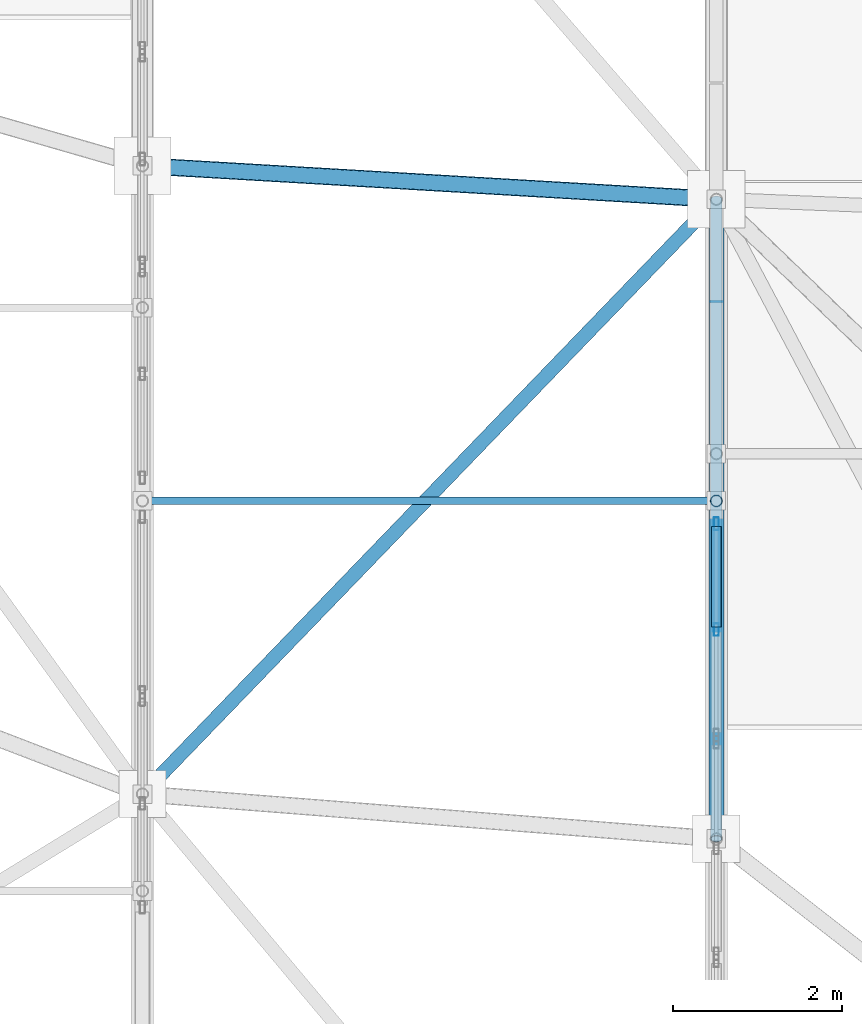
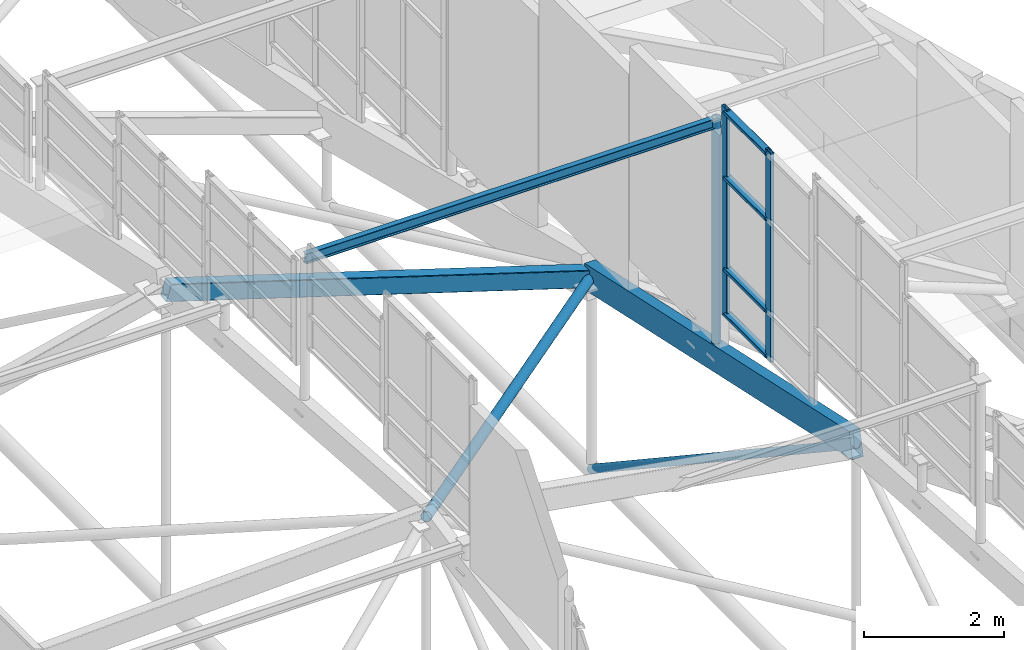
# One storey, part 49 of 188: 12 members, 1 element without a shape of its own.
"""IFC4 building model written with IfcOpenShell, lengths in metres."""

import ifcopenshell
import ifcopenshell.guid

model = None  # the IFC model being written
_history = None  # IfcOwnerHistory: only IFC2X3 demands one
_inside = {}  # id of a spatial element -> (the spatial element, [elements in it])
_under = {}  # id of a project, library or spatial element -> (it, [spatial elements below it])
_declared = {}  # id of a project -> (the project, [libraries it declares])
_typed = {}  # id of a type object -> (the type object, [elements of that type])
_made_of = {}  # id of a material, layer set ... -> (it, [elements and type objects made of it])


def new_model(schema):
    """Start an empty IFC model of exactly this schema.

    Asked for "IFC4X3", IfcOpenShell would pick the latest addendum, in which some entities
    have other attributes; the version numbers below select the first issue.
    IFC2X3 requires an IfcOwnerHistory on every rooted entity: one is made here for all.
    """
    global model, _history
    if schema == "IFC4X3":
        model = ifcopenshell.file(schema_version=(4, 3, 0, 0))
    else:
        model = ifcopenshell.file(schema=schema)
    _inside.clear()
    _under.clear()
    _declared.clear()
    _typed.clear()
    _made_of.clear()
    _history = None
    if model.schema == "IFC2X3":
        org = make("IfcOrganization", Name="unknown")
        user = make(
            "IfcPersonAndOrganization",
            ThePerson=make("IfcPerson", FamilyName="unknown"),
            TheOrganization=org,
        )
        app = make(
            "IfcApplication",
            ApplicationDeveloper=org,
            Version="unknown",
            ApplicationFullName="unknown",
            ApplicationIdentifier="unknown",
        )
        _history = make(
            "IfcOwnerHistory",
            OwningUser=user,
            OwningApplication=app,
            ChangeAction="ADDED",
            CreationDate=0,
        )
    return model


def make(cls, **values):
    """One entity of the class cls with the attributes given. An attribute that is None is left unset."""
    return model.create_entity(
        cls, **{name: value for name, value in values.items() if value is not None}
    )


def rooted(cls, **values):
    """An entity with a GlobalId (a new one), such as an element, a storey or a relation."""
    return make(cls, GlobalId=ifcopenshell.guid.new(), OwnerHistory=_history, **values)


def si_unit(unit_type, name, prefix=None):
    """IfcSIUnit, for example si_unit("LENGTHUNIT", "METRE", prefix="MILLI")."""
    return make("IfcSIUnit", UnitType=unit_type, Prefix=prefix, Name=name)


def assignment(units):
    """IfcUnitAssignment: the units of a project."""
    return None if units is None else make("IfcUnitAssignment", Units=units)


def point(xyz):
    """IfcCartesianPoint."""
    return None if xyz is None else make("IfcCartesianPoint", Coordinates=xyz)


def direction(xyz):
    """IfcDirection."""
    return None if xyz is None else make("IfcDirection", DirectionRatios=xyz)


def frame(location, z_axis=None, x_axis=None):
    """IfcAxis2Placement3D, a coordinate frame: its origin and axes. An axis left out is left unset."""
    return make(
        "IfcAxis2Placement3D",
        Location=point(location),
        Axis=direction(z_axis),
        RefDirection=direction(x_axis),
    )


def frame_2d(location, x_axis=None):
    """IfcAxis2Placement2D, a coordinate frame in the plane: its origin and x axis."""
    return make(
        "IfcAxis2Placement2D", Location=point(location), RefDirection=direction(x_axis)
    )


def origin():
    """The frame at (0, 0, 0) with its axes left unset."""
    return frame((0.0, 0.0, 0.0))


def origin_2d():
    """The frame at (0, 0) in the plane with its x axis left unset."""
    return frame_2d((0.0, 0.0))


def place(relative_to, where):
    """IfcLocalPlacement: puts the frame where relative to a parent placement (None: the world)."""
    return make(
        "IfcLocalPlacement", PlacementRelTo=relative_to, RelativePlacement=where
    )


def context(
    kind, dimensions, precision=None, world=None, true_north=None, identifier=None
):
    """IfcGeometricRepresentationContext, for example the 3D "Model" context."""
    return make(
        "IfcGeometricRepresentationContext",
        ContextIdentifier=identifier,
        ContextType=kind,
        CoordinateSpaceDimension=dimensions,
        Precision=precision,
        WorldCoordinateSystem=world,
        TrueNorth=true_north,
    )


def subcontext(parent, identifier, kind, view, scale=None):
    """IfcGeometricRepresentationSubContext, for example "Body" below "Model"."""
    return make(
        "IfcGeometricRepresentationSubContext",
        ContextIdentifier=identifier,
        ContextType=kind,
        ParentContext=parent,
        TargetScale=scale,
        TargetView=view,
    )


def project(units=None, contexts=None):
    """IfcProject with its units and contexts."""
    return rooted(
        "IfcProject",
        Name="project",
        RepresentationContexts=contexts,
        UnitsInContext=assignment(units),
    )


def spatial(cls, under=None, at=None, **own):
    """A site, building, storey or space (cls), placed at a placement, below another one or the project."""
    s = rooted(cls, ObjectPlacement=at, **own)
    if under is not None:
        _under.setdefault(under.id(), (under, []))[1].append(s)
    return s


def profile(cls, at=None, kind="AREA", **sizes):
    """A parametric profile (cls). Its sizes go by their IFC names, for example OverallWidth=200.0."""
    return make(cls, ProfileType=kind, Position=at, **sizes)


def rectangle(**sizes):
    """IfcRectangleProfileDef."""
    return profile("IfcRectangleProfileDef", **sizes)


def hollow_rectangle(**sizes):
    """IfcRectangleHollowProfileDef."""
    return profile("IfcRectangleHollowProfileDef", **sizes)


def hollow_circle(**sizes):
    """IfcCircleHollowProfileDef."""
    return profile("IfcCircleHollowProfileDef", **sizes)


def i_section(**sizes):
    """IfcIShapeProfileDef."""
    return profile("IfcIShapeProfileDef", **sizes)


def extrude(swept, where, along, depth):
    """IfcExtrudedAreaSolid: the profile swept, set in the frame where, extruded along a direction by depth."""
    return make(
        "IfcExtrudedAreaSolid",
        SweptArea=swept,
        Position=where,
        ExtrudedDirection=direction(along),
        Depth=depth,
    )


def shape(context_of_items, identifier, shape_type, items):
    """IfcShapeRepresentation: the items that make up one representation, for example the "Body"."""
    return make(
        "IfcShapeRepresentation",
        ContextOfItems=context_of_items,
        RepresentationIdentifier=identifier,
        RepresentationType=shape_type,
        Items=items,
    )


def material(Name=None, Category=None):
    """IfcMaterial."""
    return make("IfcMaterial", Name=Name, Category=Category)


def layer(
    of_material, thickness, ventilated=None, Name=None, Category=None, Priority=None
):
    """IfcMaterialLayer: one layer of a wall or slab, of a material (None: an air gap)."""
    return make(
        "IfcMaterialLayer",
        Material=of_material,
        LayerThickness=thickness,
        IsVentilated=ventilated,
        Name=Name,
        Category=Category,
        Priority=Priority,
    )


def layer_set(layers, Name=None):
    """IfcMaterialLayerSet."""
    return make("IfcMaterialLayerSet", MaterialLayers=layers, LayerSetName=Name)


def material_profile(
    of_material, cross_section, Name=None, Category=None, Priority=None
):
    """IfcMaterialProfile: a cross section and its material."""
    return make(
        "IfcMaterialProfile",
        Name=Name,
        Material=of_material,
        Profile=cross_section,
        Priority=Priority,
        Category=Category,
    )


def profile_set(profiles, Name=None, composite=None):
    """IfcMaterialProfileSet."""
    return make(
        "IfcMaterialProfileSet",
        Name=Name,
        MaterialProfiles=profiles,
        CompositeProfile=composite,
    )


def made_of(thing, what):
    """Note that an element or type object is made of a material, layer set ...; save() writes the relation."""
    if what is not None:
        _made_of.setdefault(what.id(), (what, []))[1].append(thing)
    return thing


def type_object(cls, material=None, **own):
    """A type object (cls), such as IfcWallType, which elements share."""
    return made_of(rooted(cls, **own), material)


def element(
    cls,
    number,
    at=None,
    inside=None,
    cuts=None,
    type_object=None,
    material=None,
    context=None,
    identifier="Body",
    shape_type=None,
    held_by="IfcProductDefinitionShape",
    body=None,
    shapes=None,
    **own,
):
    """One element of the class cls, such as IfcWall. Its Tag is "e" and its number.

    at: its placement. inside: the storey or other place that contains it. cuts: it is an
    opening in that element (IfcRelVoidsElement). A single representation is given by context,
    identifier, shape_type and body (its items); several are given by shapes. held_by: the class
    of the entity that holds the representations. save() writes the other relations.
    """
    e = rooted(cls, Tag="e%d" % number, ObjectPlacement=at, **own)
    if body is not None:
        shapes = [shape(context, identifier, shape_type, body)]
    if shapes is not None:
        e.Representation = make(held_by, Representations=shapes)
    if inside is not None:
        _inside.setdefault(inside.id(), (inside, []))[1].append(e)
    if cuts is not None:
        rooted(
            "IfcRelVoidsElement", RelatingBuildingElement=cuts, RelatedOpeningElement=e
        )
    if type_object is not None:
        _typed.setdefault(type_object.id(), (type_object, []))[1].append(e)
    return made_of(e, material)


def aggregate(whole, parts):
    """IfcRelAggregates: a whole, such as a stair, and the parts it consists of."""
    return rooted("IfcRelAggregates", RelatingObject=whole, RelatedObjects=parts)


def save(model, path):
    """Write the relations noted so far, then the file.

    IfcRelAggregates (storeys below a building ...), IfcRelContainedInSpatialStructure (elements
    in a storey), IfcRelDefinesByType, IfcRelAssociatesMaterial and IfcRelDeclares: one each for
    every whole, place, type object, material and project.
    """
    for whole, parts in _under.values():
        aggregate(whole, parts)
    for where, things in _inside.values():
        rooted(
            "IfcRelContainedInSpatialStructure",
            RelatedElements=things,
            RelatingStructure=where,
        )
    for kind, things in _typed.values():
        rooted("IfcRelDefinesByType", RelatedObjects=things, RelatingType=kind)
    for what, things in _made_of.values():
        rooted("IfcRelAssociatesMaterial", RelatedObjects=things, RelatingMaterial=what)
    for by, libraries in _declared.values():
        rooted("IfcRelDeclares", RelatingContext=by, RelatedDefinitions=libraries)
    model.write(path)


model = new_model("IFC4")

# Units and contexts
model_context = context("Model", 3, precision=1e-05, world=origin(), true_north=direction((0.0, 1.0)))
body_context = subcontext(model_context, "Body", "Model", "MODEL_VIEW")
ifc_project = project(units=[si_unit("LENGTHUNIT", "METRE"), si_unit("AREAUNIT", "SQUARE_METRE"), si_unit("VOLUMEUNIT", "CUBIC_METRE"), si_unit("PLANEANGLEUNIT", "RADIAN"), si_unit("MASSUNIT", "GRAM", prefix="KILO")], contexts=[model_context])

# Site, building, storey
site_placement = place(None, origin())
site = spatial("IfcSite", under=ifc_project, at=site_placement, CompositionType="ELEMENT")
building_placement = place(site_placement, origin())
building = spatial("IfcBuilding", under=site, at=building_placement, Name="Kisaragi Civic Commons", CompositionType="ELEMENT")
storey_placement = place(building_placement, frame((0.0, 0.0, 9.60009765625)))
storey = spatial("IfcBuildingStorey", under=building, at=storey_placement, Name="L02", CompositionType="ELEMENT", Elevation=9.60009765625)

# Member
ifc_material_1 = material(Name="Steel SN400 (SN400B)", Category="steel")
ifc_material_profile_1 = material_profile(ifc_material_1, hollow_circle(Radius=0.08251953125, WallThickness=0.006103515625, at=origin_2d()), Name="CHS-165.2x6.0", Category="steel")
ifc_profile_set_1 = profile_set([ifc_material_profile_1], Name="Steel SN400 (SN400B)")
member_type_1 = type_object("IfcMemberType", Name="BR-02", PredefinedType="BRACE", material=ifc_profile_set_1)
member_1_placement = place(storey_placement, frame((13.60009765625, 32.620361328125, 5.319091796875), z_axis=(0.673705084723, 0.698208289191, -0.242129394589), x_axis=(-0.719621366017, 0.69436668236, 0.0)))
element("IfcMember", 1, at=member_1_placement, inside=storey, type_object=member_type_1, Name="V1 diagonal gridshell steel brace 16", PredefinedType="BRACE", context=body_context, shape_type="SweptSolid", body=[
    extrude(hollow_circle(Radius=0.08251953125, WallThickness=0.006103515625, at=origin_2d()), origin(), (0.0, 0.0, 1.0), 10.09326171875),
])

# Curtain wall, members
ifc_material_2 = material(Name="Thermally broken anodized aluminium and low-E double glazing", Category="aluminium")
ifc_layer = layer(ifc_material_2, 0.14990234375, Name="Thermally broken anodized aluminium and low-E double glazing", Category="aluminium")
ifc_layer_set = layer_set([ifc_layer], Name="Thermally broken anodized aluminium and low-E double glazing")
curtain_wall_type = type_object("IfcCurtainWallType", Name="CW-03", PredefinedType="NOTDEFINED", material=ifc_layer_set)
curtain_wall_placement = place(storey_placement, origin())
curtain_wall = element("IfcCurtainWall", 2, at=curtain_wall_placement, inside=storey, type_object=curtain_wall_type, Name="L02 curtain wall CW-03 CW-CL-V1-161", PredefinedType="NOTDEFINED")
ifc_material_profile_2 = material_profile(ifc_material_2, hollow_rectangle(XDim=0.06005859375, YDim=0.14990234375, WallThickness=0.00390625, InnerFilletRadius=0.00390625, OuterFilletRadius=0.008056640625, at=origin_2d()), Name="CWM-60x150x4", Category="aluminium")
ifc_profile_set_2 = profile_set([ifc_material_profile_2], Name="Thermally broken anodized aluminium and low-E double glazing")
member_type_2 = type_object("IfcMemberType", Name="CWM-01", PredefinedType="MULLION", material=ifc_profile_set_2)
member_2_placement = place(storey_placement, frame((20.39990234375, 34.570068359375, 4.501953125), z_axis=(0.0, 0.0, 1.0), x_axis=(-1.0, 0.0, 0.0)))
member_2 = element("IfcMember", 3, at=member_2_placement, type_object=member_type_2, Name="CW-03 mullion 2", PredefinedType="MULLION", context=body_context, shape_type="SweptSolid", body=[
    extrude(hollow_rectangle(XDim=0.06005859375, YDim=0.14990234375, WallThickness=0.00390625, InnerFilletRadius=0.00390625, OuterFilletRadius=0.008056640625, at=origin_2d()), origin(), (0.0, 0.0, 1.0), 3.654541015625),
])
member_3_placement = place(storey_placement, frame((20.39990234375, 35.823486328125, 4.501953125), z_axis=(0.0, 0.0, 1.0), x_axis=(-1.0, 0.0, 0.0)))
member_3 = element("IfcMember", 4, at=member_3_placement, type_object=member_type_2, Name="CW-03 mullion 3", PredefinedType="MULLION", context=body_context, shape_type="SweptSolid", body=[
    extrude(hollow_rectangle(XDim=0.06005859375, YDim=0.14990234375, WallThickness=0.00390625, InnerFilletRadius=0.00390625, OuterFilletRadius=0.008056640625, at=origin_2d()), origin(), (0.0, 0.0, 1.0), 3.654541015625),
])
ifc_material_profile_3 = material_profile(ifc_material_2, hollow_rectangle(XDim=0.1201171875, YDim=0.06005859375, WallThickness=0.00390625, InnerFilletRadius=0.00390625, OuterFilletRadius=0.008056640625, at=origin_2d()), Name="CWT-60x120x4", Category="aluminium")
ifc_profile_set_3 = profile_set([ifc_material_profile_3], Name="Thermally broken anodized aluminium and low-E double glazing")
member_type_3 = type_object("IfcMemberType", Name="CWT-01", PredefinedType="USERDEFINED", material=ifc_profile_set_3)
member_4_placement = place(storey_placement, frame((20.39990234375, 34.60009765625, 4.56201171875), z_axis=(0.0, 1.0, 0.0), x_axis=(-1.0, 0.0, 0.0)))
member_4 = element("IfcMember", 5, at=member_4_placement, type_object=member_type_3, Name="CW-03 transom 2.1", ObjectType="TRANSOM", PredefinedType="USERDEFINED", context=body_context, shape_type="SweptSolid", body=[
    extrude(hollow_rectangle(XDim=0.1201171875, YDim=0.06005859375, WallThickness=0.00390625, InnerFilletRadius=0.00390625, OuterFilletRadius=0.008056640625, at=origin_2d()), origin(), (0.0, 0.0, 1.0), 1.193359375),
])
member_5_placement = place(storey_placement, frame((20.39990234375, 34.60009765625, 5.351806640625), z_axis=(0.0, 1.0, 0.0), x_axis=(-1.0, 0.0, 0.0)))
member_5 = element("IfcMember", 6, at=member_5_placement, type_object=member_type_3, Name="CW-03 transom 2.2", ObjectType="TRANSOM", PredefinedType="USERDEFINED", context=body_context, shape_type="SweptSolid", body=[
    extrude(hollow_rectangle(XDim=0.1201171875, YDim=0.06005859375, WallThickness=0.00390625, InnerFilletRadius=0.00390625, OuterFilletRadius=0.008056640625, at=origin_2d()), origin(), (0.0, 0.0, 1.0), 1.193359375),
])
member_6_placement = place(storey_placement, frame((20.39990234375, 34.60009765625, 6.951904296875), z_axis=(0.0, 1.0, 0.0), x_axis=(-1.0, 0.0, 0.0)))
member_6 = element("IfcMember", 7, at=member_6_placement, type_object=member_type_3, Name="CW-03 transom 2.3", ObjectType="TRANSOM", PredefinedType="USERDEFINED", context=body_context, shape_type="SweptSolid", body=[
    extrude(hollow_rectangle(XDim=0.1201171875, YDim=0.06005859375, WallThickness=0.00390625, InnerFilletRadius=0.00390625, OuterFilletRadius=0.008056640625, at=origin_2d()), origin(), (0.0, 0.0, 1.0), 1.193359375),
])
member_7_placement = place(storey_placement, frame((20.39990234375, 34.60009765625, 8.096435546875), z_axis=(0.0, 1.0, 0.0), x_axis=(-1.0, 0.0, 0.0)))
member_7 = element("IfcMember", 8, at=member_7_placement, type_object=member_type_3, Name="CW-03 transom 2.4", ObjectType="TRANSOM", PredefinedType="USERDEFINED", context=body_context, shape_type="SweptSolid", body=[
    extrude(hollow_rectangle(XDim=0.1201171875, YDim=0.06005859375, WallThickness=0.00390625, InnerFilletRadius=0.00390625, OuterFilletRadius=0.008056640625, at=origin_2d()), origin(), (0.0, 0.0, 1.0), 1.193359375),
])
aggregate(curtain_wall, [member_2, member_3, member_4, member_5, member_6, member_7])

# Members
ifc_material_3 = material(Name="Steel SN490 (SN490B)", Category="steel")
ifc_material_profile_4 = material_profile(ifc_material_3, hollow_rectangle(XDim=0.199951171875, YDim=0.300048828125, WallThickness=0.009033203125, InnerFilletRadius=0.009033203125, OuterFilletRadius=0.01806640625, at=origin_2d()), Name="STKR-300x200x9", Category="steel")
ifc_profile_set_4 = profile_set([ifc_material_profile_4], Name="Steel SN490 (SN490B)")
member_type_4 = type_object("IfcMemberType", Name="GC-02", PredefinedType="CHORD", material=ifc_profile_set_4)
member_8_placement = place(storey_placement, frame((13.60009765625, 40.065185546875, 4.76904296875), z_axis=(0.961810866511, -0.056254125433, -0.2678718545), x_axis=(0.058387938946, 0.998293969022, 0.0)))
element("IfcMember", 9, at=member_8_placement, inside=storey, type_object=member_type_4, Name="V1 wave gridshell chord GC-02 19", PredefinedType="CHORD", context=body_context, shape_type="SweptSolid", body=[
    extrude(hollow_rectangle(XDim=0.199951171875, YDim=0.300048828125, WallThickness=0.009033203125, InnerFilletRadius=0.009033203125, OuterFilletRadius=0.01806640625, at=origin_2d()), origin(), (0.0, 0.0, 1.0), 7.06982421875),
])
ifc_material_4 = material(Name="Glulam E120-F330", Category="wood")
ifc_material_profile_5 = material_profile(ifc_material_4, rectangle(XDim=0.179931640625, YDim=0.449951171875, at=origin_2d()), Name="GL-180x450", Category="wood")
ifc_profile_set_5 = profile_set([ifc_material_profile_5], Name="Glulam E120-F330")
member_type_5 = type_object("IfcMemberType", Name="GR-05", PredefinedType="RAFTER", material=ifc_profile_set_5)
member_9_placement = place(storey_placement, frame((20.39990234375, 32.090087890625, 4.529296875), z_axis=(0.0, 0.976994181455, -0.213265959318), x_axis=(-1.0, 0.0, 0.0)))
element("IfcMember", 10, at=member_9_placement, inside=storey, type_object=member_type_5, Name="V1 glulam arch rib GR-05 29", PredefinedType="RAFTER", context=body_context, shape_type="SweptSolid", body=[
    extrude(rectangle(XDim=0.179931640625, YDim=0.449951171875, at=origin_2d()), origin(), (0.0, 0.0, 1.0), 7.755859375),
])
ifc_material_profile_6 = material_profile(ifc_material_1, i_section(OverallWidth=0.090087890625, OverallDepth=0.175048828125, WebThickness=0.0048828125, FlangeThickness=0.008056640625, FilletRadius=0.008056640625, at=origin_2d()), Name="H-175x90x5x8", Category="steel")
ifc_profile_set_6 = profile_set([ifc_material_profile_6], Name="Steel SN400 (SN400B)")
member_type_6 = type_object("IfcMemberType", Name="PR-03", PredefinedType="PURLIN", material=ifc_profile_set_6)
member_10_placement = place(storey_placement, frame((13.60009765625, 36.093994140625, 7.736083984375), z_axis=(1.0, 0.0, 0.0), x_axis=(0.0, 1.0, 0.0)))
element("IfcMember", 11, at=member_10_placement, inside=storey, type_object=member_type_6, Name="V1 wave vault steel purlin 21", PredefinedType="PURLIN", context=body_context, shape_type="SweptSolid", body=[
    extrude(i_section(OverallWidth=0.090087890625, OverallDepth=0.175048828125, WebThickness=0.0048828125, FlangeThickness=0.008056640625, FilletRadius=0.008056640625, at=origin_2d()), origin(), (0.0, 0.0, 1.0), 6.7998046875),
])
ifc_material_profile_7 = material_profile(ifc_material_3, hollow_circle(Radius=0.06982421875, WallThickness=0.006103515625, at=origin_2d()), Name="CHS-139.8x6.0", Category="steel")
ifc_profile_set_7 = profile_set([ifc_material_profile_7], Name="Steel SN490 (SN490B)")
member_type_7 = type_object("IfcMemberType", Name="ST-H1", PredefinedType="STRUT", material=ifc_profile_set_7)
member_11_placement = place(storey_placement, frame((20.39990234375, 39.66748046875, -0.49951171875), z_axis=(0.0, -0.833204909278, 0.552964356134), x_axis=(1.0, 0.0, 0.0)))
element("IfcMember", 12, at=member_11_placement, inside=storey, type_object=member_type_7, Name="V1 tied arch truss diagonal web strut 53", PredefinedType="STRUT", context=body_context, shape_type="SweptSolid", body=[
    extrude(hollow_circle(Radius=0.06982421875, WallThickness=0.006103515625, at=origin_2d()), origin(), (0.0, 0.0, 1.0), 9.09423828125),
])
member_12_placement = place(storey_placement, frame((20.39990234375, 36.093994140625, 3.6552734375), z_axis=(0.0, 0.0, 1.0), x_axis=(1.0, 0.0, 0.0)))
element("IfcMember", 13, at=member_12_placement, inside=storey, type_object=member_type_7, Name="V1 clerestory monitor horizontal tie strut 3.3.5", PredefinedType="STRUT", context=body_context, shape_type="SweptSolid", body=[
    extrude(hollow_circle(Radius=0.06982421875, WallThickness=0.006103515625, at=origin_2d()), origin(), (0.0, 0.0, 1.0), 4.16845703125),
])

save(model, "model.ifc")
